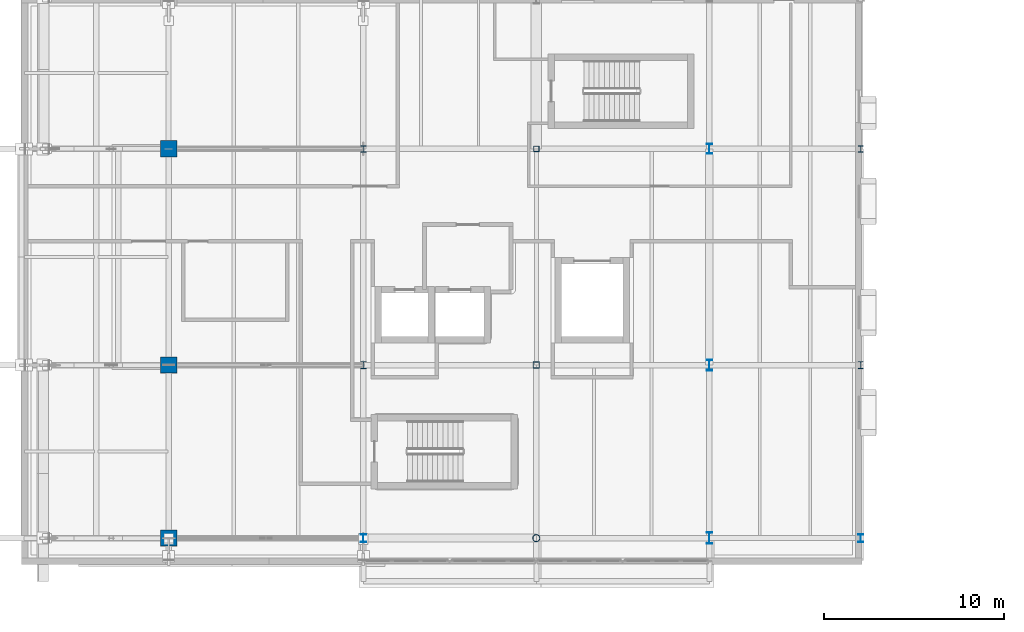
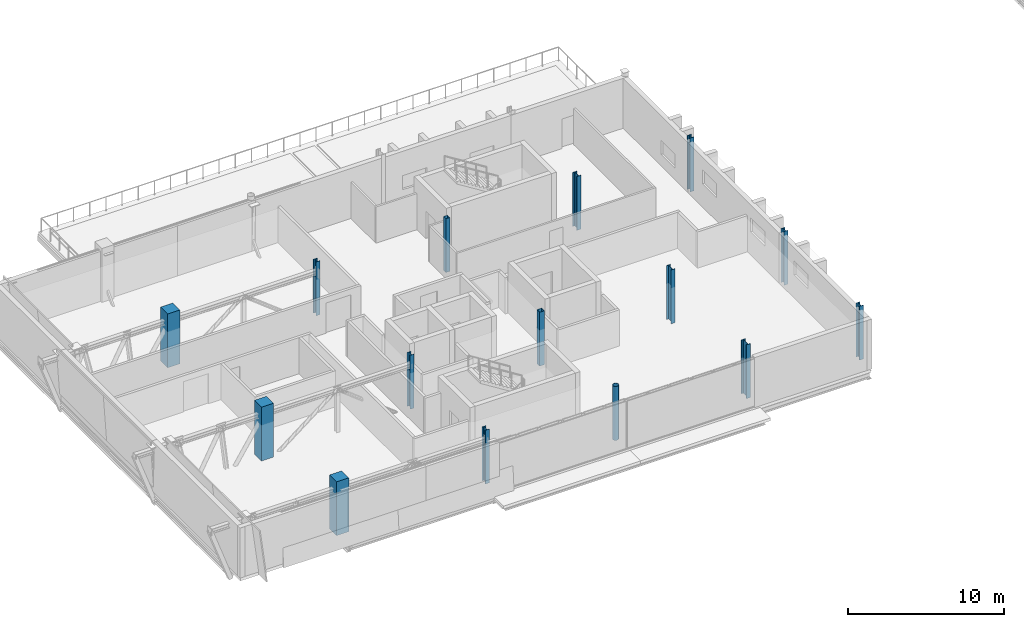
# One storey, part 1 of 57: 15 columns.
"""IFC4 building model written with IfcOpenShell, lengths in metres."""

from ifc_helpers import new_model, si_unit, direction, frame, origin, origin_2d, place, context, subcontext, project, spatial, rectangle, hollow_rectangle, hollow_circle, i_section, extrude, material, material_profile, profile_set, type_object, element, save


model = new_model("IFC4")

# Units and contexts
model_context = context("Model", 3, precision=1e-05, world=origin(), true_north=direction((0.0, 1.0)))
body_context = subcontext(model_context, "Body", "Model", "MODEL_VIEW")
ifc_project = project(units=[si_unit("LENGTHUNIT", "METRE"), si_unit("AREAUNIT", "SQUARE_METRE"), si_unit("VOLUMEUNIT", "CUBIC_METRE"), si_unit("PLANEANGLEUNIT", "RADIAN"), si_unit("MASSUNIT", "GRAM", prefix="KILO")], contexts=[model_context])

# Site, building, storey
site_placement = place(None, origin())
site = spatial("IfcSite", under=ifc_project, at=site_placement, CompositionType="ELEMENT")
building_placement = place(site_placement, origin())
building = spatial("IfcBuilding", under=site, at=building_placement, Name="Zereglee Splitstone Museum", CompositionType="ELEMENT")
storey_placement = place(building_placement, frame((0.0, 0.0, 17.10009765625)))
storey = spatial("IfcBuildingStorey", under=building, at=storey_placement, Name="L03", CompositionType="ELEMENT", Elevation=17.10009765625)

# Columns
ifc_material_1 = material(Name="Concrete C45/55", Category="concrete")
ifc_material_profile_1 = material_profile(ifc_material_1, rectangle(XDim=0.89990234375, YDim=0.89990234375, at=origin_2d()), Name="RC 900x900")
ifc_profile_set_1 = profile_set([ifc_material_profile_1], Name="Concrete C45/55")
column_type_1 = type_object("IfcColumnType", Name="C-03", PredefinedType="COLUMN", material=ifc_profile_set_1)
for number, where, z_axis, x_axis, name in (
    (1, (9.60009765625, 0.0, 0.0), (0.0, 0.0, 1.0), (1.0, 0.0, 0.0), "Column 2/A L03"),
    (2, (9.60009765625, 9.60009765625, 0.0), (0.0, 0.0, 1.0), (1.0, 0.0, 0.0), "Column 2/B L03"),
    (3, (9.60009765625, 21.60009765625, 0.0), (0.0, 0.0, 1.0), (1.0, 0.0, 0.0), "Column 2/C L03"),
):
    element("IfcColumn", number, at=place(storey_placement, frame(where, z_axis=z_axis, x_axis=x_axis)), inside=storey, type_object=column_type_1, Name=name, PredefinedType="COLUMN", context=body_context, shape_type="SweptSolid", body=[
        extrude(rectangle(XDim=0.89990234375, YDim=0.89990234375, at=origin_2d()), origin(), (0.0, 0.0, 1.0), 4.199951171875),
    ])
ifc_material_2 = material(Name="Steel S355J2H", Category="steel")
ifc_material_profile_2 = material_profile(ifc_material_2, hollow_circle(Radius=0.203125, WallThickness=0.02001953125, at=origin_2d()), Name="CHS 406.4x20")
ifc_profile_set_2 = profile_set([ifc_material_profile_2], Name="Steel S355J2H")
column_type_2 = type_object("IfcColumnType", Name="C-18", PredefinedType="COLUMN", material=ifc_profile_set_2)
column_1_placement = place(storey_placement, frame((30.0, 0.0, 0.0), z_axis=(0.0, 0.0, 1.0), x_axis=(1.0, 0.0, 0.0)))
element("IfcColumn", 4, at=column_1_placement, inside=storey, type_object=column_type_2, Name="Column 5/A L03", PredefinedType="COLUMN", context=body_context, shape_type="SweptSolid", body=[
    extrude(hollow_circle(Radius=0.203125, WallThickness=0.02001953125, at=origin_2d()), origin(), (0.0, 0.0, 1.0), 4.199951171875),
])
ifc_material_3 = material(Name="Steel S355J2", Category="steel")
ifc_material_profile_3 = material_profile(ifc_material_3, i_section(OverallWidth=0.300048828125, OverallDepth=0.360107421875, WebThickness=0.012451171875, FlangeThickness=0.0224609375, FilletRadius=0.027099609375, at=origin_2d()), Name="HE 360 B")
ifc_profile_set_3 = profile_set([ifc_material_profile_3], Name="Steel S355J2")
column_type_3 = type_object("IfcColumnType", Name="C-16", PredefinedType="COLUMN", material=ifc_profile_set_3)
for number, where, z_axis, x_axis, name in (
    (5, (20.39990234375, 21.60009765625, 0.0), (0.0, 0.0, 1.0), (1.0, 0.0, 0.0), "Column 4/C L03"),
    (6, (48.0, 21.60009765625, 0.0), (0.0, 0.0, 1.0), (1.0, 0.0, 0.0), "Column 7/C L03"),
):
    element("IfcColumn", number, at=place(storey_placement, frame(where, z_axis=z_axis, x_axis=x_axis)), inside=storey, type_object=column_type_3, Name=name, PredefinedType="COLUMN", context=body_context, shape_type="SweptSolid", body=[
        extrude(i_section(OverallWidth=0.300048828125, OverallDepth=0.360107421875, WebThickness=0.012451171875, FlangeThickness=0.0224609375, FilletRadius=0.027099609375, at=origin_2d()), origin(), (0.0, 0.0, 1.0), 4.199951171875),
    ])
ifc_material_profile_4 = material_profile(ifc_material_3, i_section(OverallWidth=0.300048828125, OverallDepth=0.39990234375, WebThickness=0.013427734375, FlangeThickness=0.02392578125, FilletRadius=0.027099609375, at=origin_2d()), Name="HE 400 B")
ifc_profile_set_4 = profile_set([ifc_material_profile_4], Name="Steel S355J2")
column_type_4 = type_object("IfcColumnType", Name="C-15", PredefinedType="COLUMN", material=ifc_profile_set_4)
for number, where, z_axis, x_axis, name in (
    (7, (20.39990234375, 9.60009765625, 0.0), (0.0, 0.0, 1.0), (1.0, 0.0, 0.0), "Column 4/B L03"),
    (8, (48.0, 9.60009765625, 0.0), (0.0, 0.0, 1.0), (1.0, 0.0, 0.0), "Column 7/B L03"),
):
    element("IfcColumn", number, at=place(storey_placement, frame(where, z_axis=z_axis, x_axis=x_axis)), inside=storey, type_object=column_type_4, Name=name, PredefinedType="COLUMN", context=body_context, shape_type="SweptSolid", body=[
        extrude(i_section(OverallWidth=0.300048828125, OverallDepth=0.39990234375, WebThickness=0.013427734375, FlangeThickness=0.02392578125, FilletRadius=0.027099609375, at=origin_2d()), origin(), (0.0, 0.0, 1.0), 4.199951171875),
    ])
ifc_material_profile_5 = material_profile(ifc_material_3, i_section(OverallWidth=0.300048828125, OverallDepth=0.449951171875, WebThickness=0.013916015625, FlangeThickness=0.02587890625, FilletRadius=0.027099609375, at=origin_2d()), Name="HE 450 B")
ifc_profile_set_5 = profile_set([ifc_material_profile_5], Name="Steel S355J2")
column_type_5 = type_object("IfcColumnType", Name="C-14", PredefinedType="COLUMN", material=ifc_profile_set_5)
for number, where, z_axis, x_axis, name in (
    (9, (20.39990234375, 0.0, 0.0), (0.0, 0.0, 1.0), (1.0, 0.0, 0.0), "Column 4/A L03"),
    (10, (48.0, 0.0, 0.0), (0.0, 0.0, 1.0), (1.0, 0.0, 0.0), "Column 7/A L03"),
):
    element("IfcColumn", number, at=place(storey_placement, frame(where, z_axis=z_axis, x_axis=x_axis)), inside=storey, type_object=column_type_5, Name=name, PredefinedType="COLUMN", context=body_context, shape_type="SweptSolid", body=[
        extrude(i_section(OverallWidth=0.300048828125, OverallDepth=0.449951171875, WebThickness=0.013916015625, FlangeThickness=0.02587890625, FilletRadius=0.027099609375, at=origin_2d()), origin(), (0.0, 0.0, 1.0), 4.199951171875),
    ])
ifc_material_profile_6 = material_profile(ifc_material_3, i_section(OverallWidth=0.300048828125, OverallDepth=0.550048828125, WebThickness=0.014892578125, FlangeThickness=0.029052734375, FilletRadius=0.027099609375, at=origin_2d()), Name="HE 550 B")
ifc_profile_set_6 = profile_set([ifc_material_profile_6], Name="Steel S355J2")
column_type_6 = type_object("IfcColumnType", Name="C-12", PredefinedType="COLUMN", material=ifc_profile_set_6)
column_2_placement = place(storey_placement, frame((39.60009765625, 21.60009765625, 0.0), z_axis=(0.0, 0.0, 1.0), x_axis=(1.0, 0.0, 0.0)))
element("IfcColumn", 11, at=column_2_placement, inside=storey, type_object=column_type_6, Name="Column 6/C L03", PredefinedType="COLUMN", context=body_context, shape_type="SweptSolid", body=[
    extrude(i_section(OverallWidth=0.300048828125, OverallDepth=0.550048828125, WebThickness=0.014892578125, FlangeThickness=0.029052734375, FilletRadius=0.027099609375, at=origin_2d()), origin(), (0.0, 0.0, 1.0), 4.199951171875),
])
ifc_material_profile_7 = material_profile(ifc_material_3, i_section(OverallWidth=0.300048828125, OverallDepth=0.60009765625, WebThickness=0.015380859375, FlangeThickness=0.030029296875, FilletRadius=0.027099609375, at=origin_2d()), Name="HE 600 B")
ifc_profile_set_7 = profile_set([ifc_material_profile_7], Name="Steel S355J2")
column_type_7 = type_object("IfcColumnType", Name="C-11", PredefinedType="COLUMN", material=ifc_profile_set_7)
column_3_placement = place(storey_placement, frame((39.60009765625, 9.60009765625, 0.0), z_axis=(0.0, 0.0, 1.0), x_axis=(1.0, 0.0, 0.0)))
element("IfcColumn", 12, at=column_3_placement, inside=storey, type_object=column_type_7, Name="Column 6/B L03", PredefinedType="COLUMN", context=body_context, shape_type="SweptSolid", body=[
    extrude(i_section(OverallWidth=0.300048828125, OverallDepth=0.60009765625, WebThickness=0.015380859375, FlangeThickness=0.030029296875, FilletRadius=0.027099609375, at=origin_2d()), origin(), (0.0, 0.0, 1.0), 4.199951171875),
])
ifc_material_profile_8 = material_profile(ifc_material_3, i_section(OverallWidth=0.300048828125, OverallDepth=0.64990234375, WebThickness=0.01611328125, FlangeThickness=0.031005859375, FilletRadius=0.027099609375, at=origin_2d()), Name="HE 650 B")
ifc_profile_set_8 = profile_set([ifc_material_profile_8], Name="Steel S355J2")
column_type_8 = type_object("IfcColumnType", Name="C-10", PredefinedType="COLUMN", material=ifc_profile_set_8)
column_4_placement = place(storey_placement, frame((39.60009765625, 0.0, 0.0), z_axis=(0.0, 0.0, 1.0), x_axis=(1.0, 0.0, 0.0)))
element("IfcColumn", 13, at=column_4_placement, inside=storey, type_object=column_type_8, Name="Column 6/A L03", PredefinedType="COLUMN", context=body_context, shape_type="SweptSolid", body=[
    extrude(i_section(OverallWidth=0.300048828125, OverallDepth=0.64990234375, WebThickness=0.01611328125, FlangeThickness=0.031005859375, FilletRadius=0.027099609375, at=origin_2d()), origin(), (0.0, 0.0, 1.0), 4.199951171875),
])
ifc_material_profile_9 = material_profile(ifc_material_2, hollow_rectangle(XDim=0.300048828125, YDim=0.300048828125, WallThickness=0.01611328125, at=origin_2d()), Name="SHS 300x300x16")
ifc_profile_set_9 = profile_set([ifc_material_profile_9], Name="Steel S355J2H")
column_type_9 = type_object("IfcColumnType", Name="C-20", PredefinedType="COLUMN", material=ifc_profile_set_9)
column_5_placement = place(storey_placement, frame((30.0, 21.60009765625, 0.0), z_axis=(0.0, 0.0, 1.0), x_axis=(1.0, 0.0, 0.0)))
element("IfcColumn", 14, at=column_5_placement, inside=storey, type_object=column_type_9, Name="Column 5/C L03", PredefinedType="COLUMN", context=body_context, shape_type="SweptSolid", body=[
    extrude(hollow_rectangle(XDim=0.300048828125, YDim=0.300048828125, WallThickness=0.01611328125, at=origin_2d()), origin(), (0.0, 0.0, 1.0), 4.199951171875),
])
ifc_material_profile_10 = material_profile(ifc_material_2, hollow_rectangle(XDim=0.35009765625, YDim=0.35009765625, WallThickness=0.01611328125, at=origin_2d()), Name="SHS 350x350x16")
ifc_profile_set_10 = profile_set([ifc_material_profile_10], Name="Steel S355J2H")
column_type_10 = type_object("IfcColumnType", Name="C-19", PredefinedType="COLUMN", material=ifc_profile_set_10)
column_6_placement = place(storey_placement, frame((30.0, 9.60009765625, 0.0), z_axis=(0.0, 0.0, 1.0), x_axis=(1.0, 0.0, 0.0)))
element("IfcColumn", 15, at=column_6_placement, inside=storey, type_object=column_type_10, Name="Column 5/B L03", PredefinedType="COLUMN", context=body_context, shape_type="SweptSolid", body=[
    extrude(hollow_rectangle(XDim=0.35009765625, YDim=0.35009765625, WallThickness=0.01611328125, at=origin_2d()), origin(), (0.0, 0.0, 1.0), 4.199951171875),
])

save(model, "model.ifc")
